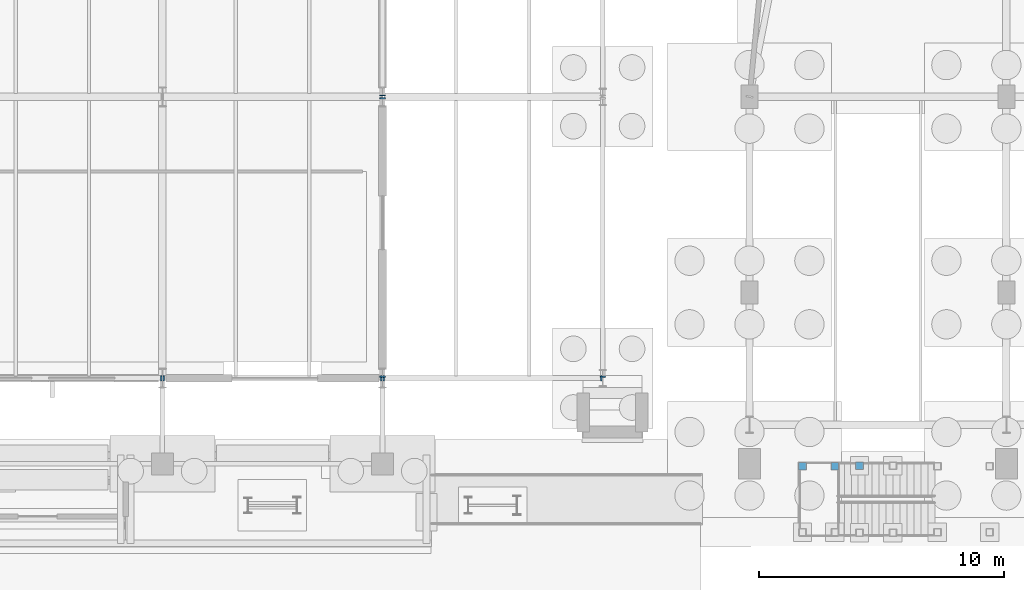
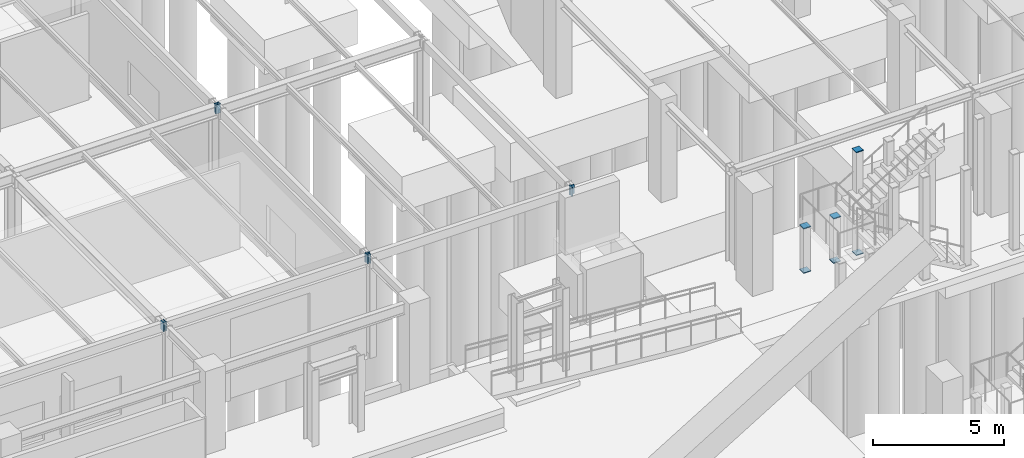
# One storey, part 129 of 160: 15 discrete accessories.
"""IFC4 building model written with IfcOpenShell, lengths in metres."""

from ifc_helpers import new_model, si_unit, direction, frame, origin, origin_2d, place, context, subcontext, project, spatial, rectangle, extrude, material, element, save


model = new_model("IFC4")

# Units and contexts
model_context = context("Model", 3, precision=1e-05, world=origin(), true_north=direction((0.0, 1.0)))
body_context = subcontext(model_context, "Body", "Model", "MODEL_VIEW")
ifc_project = project(units=[si_unit("LENGTHUNIT", "METRE"), si_unit("AREAUNIT", "SQUARE_METRE"), si_unit("VOLUMEUNIT", "CUBIC_METRE"), si_unit("PLANEANGLEUNIT", "RADIAN"), si_unit("MASSUNIT", "GRAM", prefix="KILO")], contexts=[model_context])

# Site, building, storey
site_placement = place(None, origin())
site = spatial("IfcSite", under=ifc_project, at=site_placement, CompositionType="ELEMENT")
building_placement = place(site_placement, origin())
building = spatial("IfcBuilding", under=site, at=building_placement, Name="Marlcrest Central Station", CompositionType="ELEMENT")
storey_placement = place(building_placement, origin())
storey = spatial("IfcBuildingStorey", under=building, at=storey_placement, Name="L00", CompositionType="ELEMENT", Elevation=0.0)

# Discrete accessories
ifc_material = material(Name="Steel S355", Category="steel")
for number, where, z_axis, x_axis, name in (
    (1, (62.925048828125, 99.0, 4.409912109375), (1.0, 0.0, 0.0), (0.0, 1.0, 0.0), "endcap-bm-SP-01-L00-00114-e"),
    (2, (63.03515625, 99.0, 4.409912109375), (1.0, 0.0, 0.0), (0.0, 1.0, 0.0), "endcap-bm-SP-01-L00-00115-s"),
    (3, (71.925048828125, 99.0, 4.409912109375), (1.0, 0.0, 0.0), (0.0, 1.0, 0.0), "endcap-bm-SP-01-L00-00115-e"),
    (4, (72.0, 99.03515625, 4.409912109375), (0.0, 1.0, 0.0), (-1.0, 0.0, 0.0), "endcap-bm-SP-01-L00-00164-s"),
    (5, (72.0, 110.425048828125, 4.409912109375), (0.0, 1.0, 0.0), (-1.0, 0.0, 0.0), "endcap-bm-SP-01-L00-00164-e"),
    (6, (72.0, 110.53515625, 4.409912109375), (0.0, 1.0, 0.0), (-1.0, 0.0, 0.0), "endcap-bm-SP-01-L00-00165-s"),
    (7, (72.03515625, 99.0, 4.405029296875), (1.0, 0.0, 0.0), (0.0, 1.0, 0.0), "endcap-bm-SP-01-L00-00215-s"),
    (8, (80.925048828125, 99.0, 4.405029296875), (1.0, 0.0, 0.0), (0.0, 1.0, 0.0), "endcap-bm-SP-01-L00-00215-e"),
    (9, (81.0, 99.03515625, 4.405029296875), (0.0, 1.0, 0.0), (-1.0, 0.0, 0.0), "endcap-bm-SP-01-L00-00219-s"),
):
    element("IfcDiscreteAccessory", number, at=place(storey_placement, frame(where, z_axis=z_axis, x_axis=x_axis)), inside=storey, material=ifc_material, Name=name, ObjectType="END_CAP_PLATE", PredefinedType="BRACKET", context=body_context, shape_type="SweptSolid", body=[
        extrude(rectangle(XDim=0.216064453125, YDim=0.416015625, at=origin_2d()), origin(), (0.0, 0.0, 1.0), 0.0400390625),
    ])
for number, where, z_axis, x_axis, name in (
    (10, (89.169921875, 95.39990234375, -0.014892578125), (0.0, 0.0, 1.0), (1.0, 0.0, 0.0), "endcap-stcol-0026-891-954-s"),
    (11, (89.169921875, 95.39990234375, 2.05517578125), (0.0, 0.0, 1.0), (1.0, 0.0, 0.0), "endcap-stcol-0026-891-954-e"),
    (12, (90.489990234375, 95.39990234375, -0.014892578125), (0.0, 0.0, 1.0), (1.0, 0.0, 0.0), "endcap-stcol-0026-904-954-s"),
    (13, (90.489990234375, 95.39990234375, 2.05517578125), (0.0, 0.0, 1.0), (1.0, 0.0, 0.0), "endcap-stcol-0026-904-954-e"),
    (14, (91.5, 95.419921875, -0.014892578125), (0.0, 0.0, 1.0), (1.0, 0.0, 0.0), "endcap-stcol-hi0-0027-915-954-s"),
    (15, (91.5, 95.419921875, 4.775146484375), (0.0, 0.0, 1.0), (1.0, 0.0, 0.0), "endcap-stcol-hi0-0027-915-954-e"),
):
    element("IfcDiscreteAccessory", number, at=place(storey_placement, frame(where, z_axis=z_axis, x_axis=x_axis)), inside=storey, material=ifc_material, Name=name, ObjectType="END_CAP_PLATE", PredefinedType="BRACKET", context=body_context, shape_type="SweptSolid", body=[
        extrude(rectangle(XDim=0.31591796875, YDim=0.31591796875, at=origin_2d()), origin(), (0.0, 0.0, 1.0), 0.0400390625),
    ])

save(model, "model.ifc")
